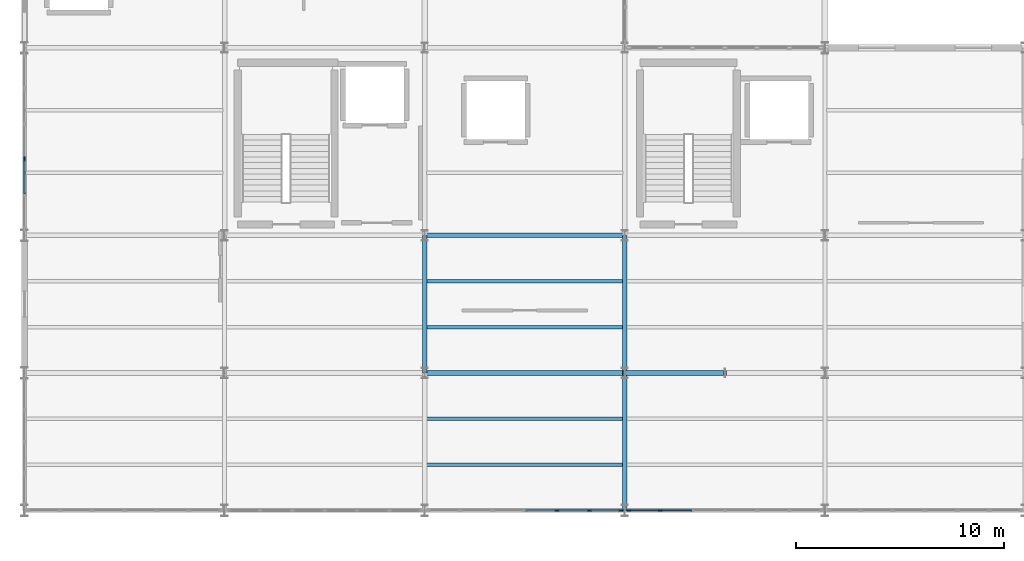
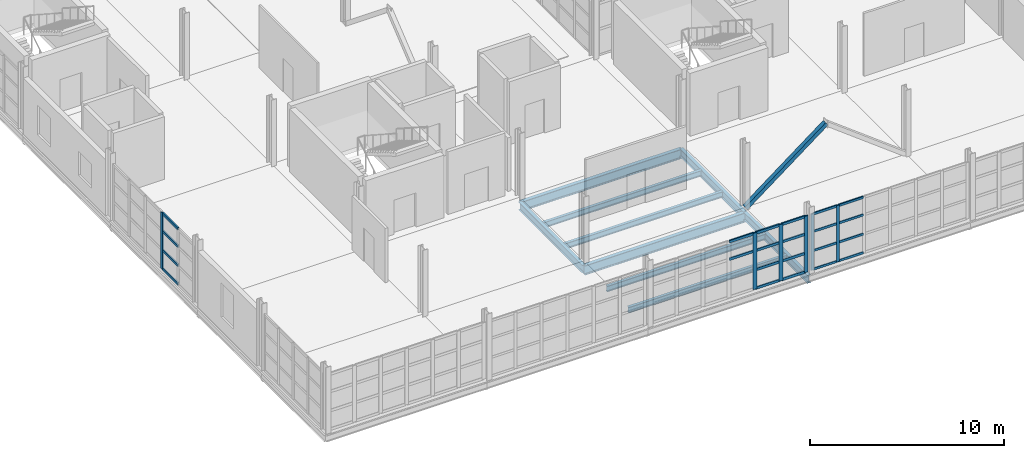
# One storey, part 14 of 82: 29 members, 9 beams, 3 elements without a shape of their own.
"""IFC4 building model written with IfcOpenShell, lengths in metres."""

from ifc_helpers import new_model, si_unit, direction, frame, origin, origin_2d, place, context, subcontext, project, spatial, rectangle, hollow_rectangle, i_section, extrude, material, layer, layer_set, material_profile, profile_set, type_object, element, aggregate, save


model = new_model("IFC4")

# Units and contexts
model_context = context("Model", 3, precision=1e-05, world=origin(), true_north=direction((0.0, 1.0)))
body_context = subcontext(model_context, "Body", "Model", "MODEL_VIEW")
ifc_project = project(units=[si_unit("LENGTHUNIT", "METRE"), si_unit("AREAUNIT", "SQUARE_METRE"), si_unit("VOLUMEUNIT", "CUBIC_METRE"), si_unit("PLANEANGLEUNIT", "RADIAN"), si_unit("MASSUNIT", "GRAM", prefix="KILO")], contexts=[model_context])

# Site, building, storey
site_placement = place(None, origin())
site = spatial("IfcSite", under=ifc_project, at=site_placement, CompositionType="ELEMENT")
building_placement = place(site_placement, origin())
building = spatial("IfcBuilding", under=site, at=building_placement, Name="Zarnetskaya Central Station", CompositionType="ELEMENT")
storey_placement = place(building_placement, frame((0.0, 0.0, 10.199951171875)))
storey = spatial("IfcBuildingStorey", under=building, at=storey_placement, Name="L02", CompositionType="ELEMENT", Elevation=10.199951171875)

# Beams
ifc_material_1 = material(Name="Steel S355", Category="steel")
ifc_material_profile_1 = material_profile(ifc_material_1, i_section(OverallWidth=0.169921875, OverallDepth=0.360107421875, WebThickness=0.008056640625, FlangeThickness=0.0126953125, FilletRadius=0.01806640625, at=origin_2d()), Name="IPE 360")
ifc_profile_set_1 = profile_set([ifc_material_profile_1], Name="Steel S355")
beam_type_1 = type_object("IfcBeamType", Name="BM-SEC-360", PredefinedType="BEAM", material=ifc_profile_set_1)
for number, where, z_axis, x_axis, name in (
    (1, (19.280029296875, 2.199951171875, -0.43994140625), (1.0, 0.0, 0.0), (0.0, 1.0, 0.0), "Secondary floor beam SEC-L02-Z994-CD-12-1"),
    (2, (19.280029296875, 4.39990234375, -0.43994140625), (1.0, 0.0, 0.0), (0.0, 1.0, 0.0), "Secondary floor beam SEC-L02-Z994-CD-12-2"),
    (3, (19.280029296875, 8.800048828125, -0.43994140625), (1.0, 0.0, 0.0), (0.0, 1.0, 0.0), "Secondary floor beam SEC-L02-Z994-CD-23-1"),
    (4, (19.280029296875, 11.0, -0.43994140625), (1.0, 0.0, 0.0), (0.0, 1.0, 0.0), "Secondary floor beam SEC-L02-Z994-CD-23-2"),
):
    element("IfcBeam", number, at=place(storey_placement, frame(where, z_axis=z_axis, x_axis=x_axis)), inside=storey, type_object=beam_type_1, Name=name, PredefinedType="BEAM", context=body_context, shape_type="SweptSolid", body=[
        extrude(i_section(OverallWidth=0.169921875, OverallDepth=0.360107421875, WebThickness=0.008056640625, FlangeThickness=0.0126953125, FilletRadius=0.01806640625, at=origin_2d()), origin(), (0.0, 0.0, 1.0), 9.43994140625),
    ])

# Curtain wall, members
ifc_material_2 = material(Name="Low-E insulated glass", Category="glass")
ifc_layer_1 = layer(ifc_material_2, 0.176025390625, Name="Low-E insulated glass", Category="glass")
ifc_layer_set_1 = layer_set([ifc_layer_1], Name="Low-E insulated glass")
curtain_wall_type_1 = type_object("IfcCurtainWallType", Name="CW-SYS-05", PredefinedType="USERDEFINED", material=ifc_layer_set_1)
curtain_wall_1_placement = place(storey_placement, origin())
curtain_wall_1 = element("IfcCurtainWall", 5, at=curtain_wall_1_placement, inside=storey, type_object=curtain_wall_type_1, Name="Curtain wall CW-L02-027", ObjectType="CURTAIN WALL", PredefinedType="USERDEFINED")
ifc_material_3 = material(Name="Anodised aluminium", Category="aluminium")
ifc_material_profile_2 = material_profile(ifc_material_3, rectangle(XDim=0.070068359375, YDim=0.179931640625, at=origin_2d()), Name="ALU MULL 70x180")
ifc_profile_set_2 = profile_set([ifc_material_profile_2], Name="Anodised aluminium")
member_type_1 = type_object("IfcMemberType", Name="CW-MULL-180", PredefinedType="MULLION", material=ifc_profile_set_2)
member_1_placement = place(storey_placement, frame((30.5, 0.0, 0.0), z_axis=(0.0, 0.0, 1.0), x_axis=(0.0, -1.0, 0.0)))
member_1 = element("IfcMember", 6, at=member_1_placement, type_object=member_type_1, Name="CW-14 mullion 6", PredefinedType="MULLION", context=body_context, shape_type="SweptSolid", body=[
    extrude(rectangle(XDim=0.070068359375, YDim=0.179931640625, at=origin_2d()), origin(), (0.0, 0.0, 1.0), 3.550048828125),
])
member_2_placement = place(storey_placement, frame((28.985107421875, 0.0, 0.0), z_axis=(0.0, 0.0, 1.0), x_axis=(0.0, -1.0, 0.0)))
member_2 = element("IfcMember", 7, at=member_2_placement, type_object=member_type_1, Name="CW-14 mullion 7", PredefinedType="MULLION", context=body_context, shape_type="SweptSolid", body=[
    extrude(rectangle(XDim=0.070068359375, YDim=0.179931640625, at=origin_2d()), origin(), (0.0, 0.0, 1.0), 3.550048828125),
])

# Curtain wall, member
ifc_layer_2 = layer(ifc_material_2, 0.159912109375, Name="Low-E insulated glass", Category="glass")
ifc_layer_set_2 = layer_set([ifc_layer_2], Name="Low-E insulated glass")
curtain_wall_type_2 = type_object("IfcCurtainWallType", Name="CW-SYS-06", PredefinedType="USERDEFINED", material=ifc_layer_set_2)
curtain_wall_2_placement = place(storey_placement, origin())
curtain_wall_2 = element("IfcCurtainWall", 8, at=curtain_wall_2_placement, inside=storey, type_object=curtain_wall_type_2, Name="Curtain wall CW-L02-016", ObjectType="CURTAIN WALL", PredefinedType="USERDEFINED")
ifc_material_profile_3 = material_profile(ifc_material_3, rectangle(XDim=0.080078125, YDim=0.219970703125, at=origin_2d()), Name="ALU MULL 80x220")
ifc_profile_set_3 = profile_set([ifc_material_profile_3], Name="Anodised aluminium")
member_type_2 = type_object("IfcMemberType", Name="CW-MULL-220", PredefinedType="MULLION", material=ifc_profile_set_3)
member_3_placement = place(storey_placement, frame((0.0, 16.85498046875, 0.0), z_axis=(0.0, 0.0, 1.0), x_axis=(-1.0, 0.0, 0.0)))
member_3 = element("IfcMember", 9, at=member_3_placement, type_object=member_type_2, Name="CW-02 mullion 3", PredefinedType="MULLION", context=body_context, shape_type="SweptSolid", body=[
    extrude(rectangle(XDim=0.080078125, YDim=0.219970703125, at=origin_2d()), origin(), (0.0, 0.0, 1.0), 3.550048828125),
])

# Curtain wall, members
curtain_wall_3_placement = place(storey_placement, origin())
curtain_wall_3 = element("IfcCurtainWall", 10, at=curtain_wall_3_placement, inside=storey, type_object=curtain_wall_type_2, Name="Curtain wall CW-L02-028", ObjectType="CURTAIN WALL", PredefinedType="USERDEFINED")
member_4_placement = place(storey_placement, frame((28.610107421875, 0.0, 0.0), z_axis=(0.0, 0.0, 1.0), x_axis=(0.0, -1.0, 0.0)))
member_4 = element("IfcMember", 11, at=member_4_placement, type_object=member_type_2, Name="CW-02 mullion 1", PredefinedType="MULLION", context=body_context, shape_type="SweptSolid", body=[
    extrude(rectangle(XDim=0.080078125, YDim=0.219970703125, at=origin_2d()), origin(), (0.0, 0.0, 1.0), 3.550048828125),
])
member_5_placement = place(storey_placement, frame((27.10009765625, 0.0, 0.0), z_axis=(0.0, 0.0, 1.0), x_axis=(0.0, -1.0, 0.0)))
member_5 = element("IfcMember", 12, at=member_5_placement, type_object=member_type_2, Name="CW-02 mullion 2", PredefinedType="MULLION", context=body_context, shape_type="SweptSolid", body=[
    extrude(rectangle(XDim=0.080078125, YDim=0.219970703125, at=origin_2d()), origin(), (0.0, 0.0, 1.0), 3.550048828125),
])
member_6_placement = place(storey_placement, frame((25.550048828125, 0.0, 0.0), z_axis=(0.0, 0.0, 1.0), x_axis=(0.0, -1.0, 0.0)))
member_6 = element("IfcMember", 13, at=member_6_placement, type_object=member_type_2, Name="CW-02 mullion 3", PredefinedType="MULLION", context=body_context, shape_type="SweptSolid", body=[
    extrude(rectangle(XDim=0.080078125, YDim=0.219970703125, at=origin_2d()), origin(), (0.0, 0.0, 1.0), 3.550048828125),
])

# Member
ifc_material_profile_4 = material_profile(ifc_material_3, rectangle(XDim=0.070068359375, YDim=0.139892578125, at=origin_2d()), Name="ALU TRAN 70x140")
ifc_profile_set_4 = profile_set([ifc_material_profile_4], Name="Anodised aluminium")
member_type_3 = type_object("IfcMemberType", Name="CW-TRAN-140", PredefinedType="USERDEFINED", material=ifc_profile_set_4)
member_7_placement = place(storey_placement, frame((32.014892578125, 0.0, 0.03515625), z_axis=(-1.0, 0.0, 0.0), x_axis=(0.0, -1.0, 0.0)))
member_7 = element("IfcMember", 14, at=member_7_placement, type_object=member_type_3, Name="CW-14 transom 5.1", ObjectType="TRANSOM", PredefinedType="USERDEFINED", context=body_context, shape_type="SweptSolid", body=[
    extrude(rectangle(XDim=0.070068359375, YDim=0.139892578125, at=origin_2d()), origin(), (0.0, 0.0, 1.0), 1.47998046875),
])

member_8_placement = place(storey_placement, frame((32.014892578125, 0.0, 1.20703125), z_axis=(-1.0, 0.0, 0.0), x_axis=(0.0, -1.0, 0.0)))
member_8 = element("IfcMember", 15, at=member_8_placement, type_object=member_type_3, Name="CW-14 transom 5.2", ObjectType="TRANSOM", PredefinedType="USERDEFINED", context=body_context, shape_type="SweptSolid", body=[
    extrude(rectangle(XDim=0.070068359375, YDim=0.139892578125, at=origin_2d()), origin(), (0.0, 0.0, 1.0), 1.47998046875),
])

member_9_placement = place(storey_placement, frame((32.014892578125, 0.0, 2.4140625), z_axis=(-1.0, 0.0, 0.0), x_axis=(0.0, -1.0, 0.0)))
member_9 = element("IfcMember", 16, at=member_9_placement, type_object=member_type_3, Name="CW-14 transom 5.3", ObjectType="TRANSOM", PredefinedType="USERDEFINED", context=body_context, shape_type="SweptSolid", body=[
    extrude(rectangle(XDim=0.070068359375, YDim=0.139892578125, at=origin_2d()), origin(), (0.0, 0.0, 1.0), 1.47998046875),
])

member_10_placement = place(storey_placement, frame((32.014892578125, 0.0, 3.51513671875), z_axis=(-1.0, 0.0, 0.0), x_axis=(0.0, -1.0, 0.0)))
member_10 = element("IfcMember", 17, at=member_10_placement, type_object=member_type_3, Name="CW-14 transom 5.4", ObjectType="TRANSOM", PredefinedType="USERDEFINED", context=body_context, shape_type="SweptSolid", body=[
    extrude(rectangle(XDim=0.070068359375, YDim=0.139892578125, at=origin_2d()), origin(), (0.0, 0.0, 1.0), 1.47998046875),
])

member_11_placement = place(storey_placement, frame((30.465087890625, 0.0, 0.03515625), z_axis=(-1.0, 0.0, 0.0), x_axis=(0.0, -1.0, 0.0)))
member_11 = element("IfcMember", 18, at=member_11_placement, type_object=member_type_3, Name="CW-14 transom 6.1", ObjectType="TRANSOM", PredefinedType="USERDEFINED", context=body_context, shape_type="SweptSolid", body=[
    extrude(rectangle(XDim=0.070068359375, YDim=0.139892578125, at=origin_2d()), origin(), (0.0, 0.0, 1.0), 1.445068359375),
])

member_12_placement = place(storey_placement, frame((30.465087890625, 0.0, 1.20703125), z_axis=(-1.0, 0.0, 0.0), x_axis=(0.0, -1.0, 0.0)))
member_12 = element("IfcMember", 19, at=member_12_placement, type_object=member_type_3, Name="CW-14 transom 6.2", ObjectType="TRANSOM", PredefinedType="USERDEFINED", context=body_context, shape_type="SweptSolid", body=[
    extrude(rectangle(XDim=0.070068359375, YDim=0.139892578125, at=origin_2d()), origin(), (0.0, 0.0, 1.0), 1.445068359375),
])

member_13_placement = place(storey_placement, frame((30.465087890625, 0.0, 2.4140625), z_axis=(-1.0, 0.0, 0.0), x_axis=(0.0, -1.0, 0.0)))
member_13 = element("IfcMember", 20, at=member_13_placement, type_object=member_type_3, Name="CW-14 transom 6.3", ObjectType="TRANSOM", PredefinedType="USERDEFINED", context=body_context, shape_type="SweptSolid", body=[
    extrude(rectangle(XDim=0.070068359375, YDim=0.139892578125, at=origin_2d()), origin(), (0.0, 0.0, 1.0), 1.445068359375),
])

member_14_placement = place(storey_placement, frame((30.465087890625, 0.0, 3.51513671875), z_axis=(-1.0, 0.0, 0.0), x_axis=(0.0, -1.0, 0.0)))
member_14 = element("IfcMember", 21, at=member_14_placement, type_object=member_type_3, Name="CW-14 transom 6.4", ObjectType="TRANSOM", PredefinedType="USERDEFINED", context=body_context, shape_type="SweptSolid", body=[
    extrude(rectangle(XDim=0.070068359375, YDim=0.139892578125, at=origin_2d()), origin(), (0.0, 0.0, 1.0), 1.445068359375),
])

aggregate(curtain_wall_1, [member_1, member_2, member_7, member_8, member_9, member_10, member_11, member_12, member_13, member_14])

ifc_material_profile_5 = material_profile(ifc_material_3, rectangle(XDim=0.080078125, YDim=0.159912109375, at=origin_2d()), Name="ALU TRAN 80x160")
ifc_profile_set_5 = profile_set([ifc_material_profile_5], Name="Anodised aluminium")
member_type_4 = type_object("IfcMemberType", Name="CW-TRAN-160", PredefinedType="USERDEFINED", material=ifc_profile_set_5)
member_15_placement = place(storey_placement, frame((0.0, 15.205078125, 0.0400390625), z_axis=(0.0, 1.0, 0.0), x_axis=(-1.0, 0.0, 0.0)))
member_15 = element("IfcMember", 22, at=member_15_placement, type_object=member_type_4, Name="CW-02 transom 2.1", ObjectType="TRANSOM", PredefinedType="USERDEFINED", context=body_context, shape_type="SweptSolid", body=[
    extrude(rectangle(XDim=0.080078125, YDim=0.159912109375, at=origin_2d()), origin(), (0.0, 0.0, 1.0), 1.60986328125),
])

member_16_placement = place(storey_placement, frame((0.0, 15.205078125, 1.20703125), z_axis=(0.0, 1.0, 0.0), x_axis=(-1.0, 0.0, 0.0)))
member_16 = element("IfcMember", 23, at=member_16_placement, type_object=member_type_4, Name="CW-02 transom 2.2", ObjectType="TRANSOM", PredefinedType="USERDEFINED", context=body_context, shape_type="SweptSolid", body=[
    extrude(rectangle(XDim=0.080078125, YDim=0.159912109375, at=origin_2d()), origin(), (0.0, 0.0, 1.0), 1.60986328125),
])

member_17_placement = place(storey_placement, frame((0.0, 15.205078125, 2.4140625), z_axis=(0.0, 1.0, 0.0), x_axis=(-1.0, 0.0, 0.0)))
member_17 = element("IfcMember", 24, at=member_17_placement, type_object=member_type_4, Name="CW-02 transom 2.3", ObjectType="TRANSOM", PredefinedType="USERDEFINED", context=body_context, shape_type="SweptSolid", body=[
    extrude(rectangle(XDim=0.080078125, YDim=0.159912109375, at=origin_2d()), origin(), (0.0, 0.0, 1.0), 1.60986328125),
])

member_18_placement = place(storey_placement, frame((0.0, 15.205078125, 3.510009765625), z_axis=(0.0, 1.0, 0.0), x_axis=(-1.0, 0.0, 0.0)))
member_18 = element("IfcMember", 25, at=member_18_placement, type_object=member_type_4, Name="CW-02 transom 2.4", ObjectType="TRANSOM", PredefinedType="USERDEFINED", context=body_context, shape_type="SweptSolid", body=[
    extrude(rectangle(XDim=0.080078125, YDim=0.159912109375, at=origin_2d()), origin(), (0.0, 0.0, 1.0), 1.60986328125),
])

aggregate(curtain_wall_2, [member_3, member_15, member_16, member_17, member_18])

member_19_placement = place(storey_placement, frame((28.570068359375, 0.0, 0.0400390625), z_axis=(-1.0, 0.0, 0.0), x_axis=(0.0, -1.0, 0.0)))
member_19 = element("IfcMember", 26, at=member_19_placement, type_object=member_type_4, Name="CW-02 transom 1.1", ObjectType="TRANSOM", PredefinedType="USERDEFINED", context=body_context, shape_type="SweptSolid", body=[
    extrude(rectangle(XDim=0.080078125, YDim=0.159912109375, at=origin_2d()), origin(), (0.0, 0.0, 1.0), 1.43017578125),
])

member_20_placement = place(storey_placement, frame((28.570068359375, 0.0, 1.20703125), z_axis=(-1.0, 0.0, 0.0), x_axis=(0.0, -1.0, 0.0)))
member_20 = element("IfcMember", 27, at=member_20_placement, type_object=member_type_4, Name="CW-02 transom 1.2", ObjectType="TRANSOM", PredefinedType="USERDEFINED", context=body_context, shape_type="SweptSolid", body=[
    extrude(rectangle(XDim=0.080078125, YDim=0.159912109375, at=origin_2d()), origin(), (0.0, 0.0, 1.0), 1.43017578125),
])

member_21_placement = place(storey_placement, frame((28.570068359375, 0.0, 2.4140625), z_axis=(-1.0, 0.0, 0.0), x_axis=(0.0, -1.0, 0.0)))
member_21 = element("IfcMember", 28, at=member_21_placement, type_object=member_type_4, Name="CW-02 transom 1.3", ObjectType="TRANSOM", PredefinedType="USERDEFINED", context=body_context, shape_type="SweptSolid", body=[
    extrude(rectangle(XDim=0.080078125, YDim=0.159912109375, at=origin_2d()), origin(), (0.0, 0.0, 1.0), 1.43017578125),
])

member_22_placement = place(storey_placement, frame((28.570068359375, 0.0, 3.510009765625), z_axis=(-1.0, 0.0, 0.0), x_axis=(0.0, -1.0, 0.0)))
member_22 = element("IfcMember", 29, at=member_22_placement, type_object=member_type_4, Name="CW-02 transom 1.4", ObjectType="TRANSOM", PredefinedType="USERDEFINED", context=body_context, shape_type="SweptSolid", body=[
    extrude(rectangle(XDim=0.080078125, YDim=0.159912109375, at=origin_2d()), origin(), (0.0, 0.0, 1.0), 1.43017578125),
])

member_23_placement = place(storey_placement, frame((27.06005859375, 0.0, 0.0400390625), z_axis=(-1.0, 0.0, 0.0), x_axis=(0.0, -1.0, 0.0)))
member_23 = element("IfcMember", 30, at=member_23_placement, type_object=member_type_4, Name="CW-02 transom 2.1", ObjectType="TRANSOM", PredefinedType="USERDEFINED", context=body_context, shape_type="SweptSolid", body=[
    extrude(rectangle(XDim=0.080078125, YDim=0.159912109375, at=origin_2d()), origin(), (0.0, 0.0, 1.0), 1.469970703125),
])

member_24_placement = place(storey_placement, frame((27.06005859375, 0.0, 1.20703125), z_axis=(-1.0, 0.0, 0.0), x_axis=(0.0, -1.0, 0.0)))
member_24 = element("IfcMember", 31, at=member_24_placement, type_object=member_type_4, Name="CW-02 transom 2.2", ObjectType="TRANSOM", PredefinedType="USERDEFINED", context=body_context, shape_type="SweptSolid", body=[
    extrude(rectangle(XDim=0.080078125, YDim=0.159912109375, at=origin_2d()), origin(), (0.0, 0.0, 1.0), 1.469970703125),
])

member_25_placement = place(storey_placement, frame((27.06005859375, 0.0, 2.4140625), z_axis=(-1.0, 0.0, 0.0), x_axis=(0.0, -1.0, 0.0)))
member_25 = element("IfcMember", 32, at=member_25_placement, type_object=member_type_4, Name="CW-02 transom 2.3", ObjectType="TRANSOM", PredefinedType="USERDEFINED", context=body_context, shape_type="SweptSolid", body=[
    extrude(rectangle(XDim=0.080078125, YDim=0.159912109375, at=origin_2d()), origin(), (0.0, 0.0, 1.0), 1.469970703125),
])

member_26_placement = place(storey_placement, frame((27.06005859375, 0.0, 3.510009765625), z_axis=(-1.0, 0.0, 0.0), x_axis=(0.0, -1.0, 0.0)))
member_26 = element("IfcMember", 33, at=member_26_placement, type_object=member_type_4, Name="CW-02 transom 2.4", ObjectType="TRANSOM", PredefinedType="USERDEFINED", context=body_context, shape_type="SweptSolid", body=[
    extrude(rectangle(XDim=0.080078125, YDim=0.159912109375, at=origin_2d()), origin(), (0.0, 0.0, 1.0), 1.469970703125),
])

member_27_placement = place(storey_placement, frame((25.510009765625, 0.0, 2.4140625), z_axis=(-1.0, 0.0, 0.0), x_axis=(0.0, -1.0, 0.0)))
member_27 = element("IfcMember", 34, at=member_27_placement, type_object=member_type_4, Name="CW-02 transom 3.3", ObjectType="TRANSOM", PredefinedType="USERDEFINED", context=body_context, shape_type="SweptSolid", body=[
    extrude(rectangle(XDim=0.080078125, YDim=0.159912109375, at=origin_2d()), origin(), (0.0, 0.0, 1.0), 1.469970703125),
])

member_28_placement = place(storey_placement, frame((25.510009765625, 0.0, 3.510009765625), z_axis=(-1.0, 0.0, 0.0), x_axis=(0.0, -1.0, 0.0)))
member_28 = element("IfcMember", 35, at=member_28_placement, type_object=member_type_4, Name="CW-02 transom 3.4", ObjectType="TRANSOM", PredefinedType="USERDEFINED", context=body_context, shape_type="SweptSolid", body=[
    extrude(rectangle(XDim=0.080078125, YDim=0.159912109375, at=origin_2d()), origin(), (0.0, 0.0, 1.0), 1.469970703125),
])

aggregate(curtain_wall_3, [member_4, member_5, member_6, member_19, member_20, member_21, member_22, member_23, member_24, member_25, member_26, member_27, member_28])

# Beams
ifc_material_profile_6 = material_profile(ifc_material_1, i_section(OverallWidth=0.199951171875, OverallDepth=0.5, WebThickness=0.01025390625, FlangeThickness=0.01611328125, FilletRadius=0.02099609375, at=origin_2d()), Name="IPE 500")
ifc_profile_set_6 = profile_set([ifc_material_profile_6], Name="Steel S355")
beam_type_2 = type_object("IfcBeamType", Name="GD-FLR-500", PredefinedType="USERDEFINED", material=ifc_profile_set_6)
beam_1_placement = place(storey_placement, frame((19.199951171875, 6.60009765625, -0.510009765625), z_axis=(0.0, 1.0, 0.0), x_axis=(-1.0, 0.0, 0.0)))
element("IfcBeam", 36, at=beam_1_placement, inside=storey, type_object=beam_type_2, Name="Grid girder GY-L02-C-23", ObjectType="GIRDER", PredefinedType="USERDEFINED", context=body_context, shape_type="SweptSolid", body=[
    extrude(i_section(OverallWidth=0.199951171875, OverallDepth=0.5, WebThickness=0.01025390625, FlangeThickness=0.01611328125, FilletRadius=0.02099609375, at=origin_2d()), origin(), (0.0, 0.0, 1.0), 6.599853515625),
])
beam_2_placement = place(storey_placement, frame((28.800048828125, 0.0, -0.510009765625), z_axis=(0.0, 1.0, 0.0), x_axis=(-1.0, 0.0, 0.0)))
element("IfcBeam", 37, at=beam_2_placement, inside=storey, type_object=beam_type_2, Name="Grid girder GY-L02-D-12", ObjectType="GIRDER", PredefinedType="USERDEFINED", context=body_context, shape_type="SweptSolid", body=[
    extrude(i_section(OverallWidth=0.199951171875, OverallDepth=0.5, WebThickness=0.01025390625, FlangeThickness=0.01611328125, FilletRadius=0.02099609375, at=origin_2d()), origin(), (0.0, 0.0, 1.0), 6.60009765625),
])
beam_3_placement = place(storey_placement, frame((28.800048828125, 6.60009765625, -0.510009765625), z_axis=(0.0, 1.0, 0.0), x_axis=(-1.0, 0.0, 0.0)))
element("IfcBeam", 38, at=beam_3_placement, inside=storey, type_object=beam_type_2, Name="Grid girder GY-L02-D-23", ObjectType="GIRDER", PredefinedType="USERDEFINED", context=body_context, shape_type="SweptSolid", body=[
    extrude(i_section(OverallWidth=0.199951171875, OverallDepth=0.5, WebThickness=0.01025390625, FlangeThickness=0.01611328125, FilletRadius=0.02099609375, at=origin_2d()), origin(), (0.0, 0.0, 1.0), 6.599853515625),
])
ifc_material_profile_7 = material_profile(ifc_material_1, i_section(OverallWidth=0.219970703125, OverallDepth=0.60009765625, WebThickness=0.011962890625, FlangeThickness=0.01904296875, FilletRadius=0.02392578125, at=origin_2d()), Name="IPE 600")
ifc_profile_set_7 = profile_set([ifc_material_profile_7], Name="Steel S355")
beam_type_3 = type_object("IfcBeamType", Name="GD-FLR-600", PredefinedType="USERDEFINED", material=ifc_profile_set_7)
for number, where, z_axis, x_axis, name in (
    (39, (19.199951171875, 6.60009765625, -0.56005859375), (1.0, 0.0, 0.0), (0.0, 1.0, 0.0), "Grid girder GX-L02-2-CD"),
    (40, (19.199951171875, 13.199951171875, -0.56005859375), (1.0, 0.0, 0.0), (0.0, 1.0, 0.0), "Grid girder GX-L02-3-CD"),
):
    element("IfcBeam", number, at=place(storey_placement, frame(where, z_axis=z_axis, x_axis=x_axis)), inside=storey, type_object=beam_type_3, Name=name, ObjectType="GIRDER", PredefinedType="USERDEFINED", context=body_context, shape_type="SweptSolid", body=[
        extrude(i_section(OverallWidth=0.219970703125, OverallDepth=0.60009765625, WebThickness=0.011962890625, FlangeThickness=0.01904296875, FilletRadius=0.02392578125, at=origin_2d()), origin(), (0.0, 0.0, 1.0), 9.60009765625),
    ])

# Member
ifc_material_profile_8 = material_profile(ifc_material_1, hollow_rectangle(XDim=0.25, YDim=0.25, WallThickness=0.012451171875, at=origin_2d()), Name="SHS 250x250x12.5")
ifc_profile_set_8 = profile_set([ifc_material_profile_8], Name="Steel S355")
member_type_5 = type_object("IfcMemberType", Name="MB-CBF-BRACE", PredefinedType="BRACE", material=ifc_profile_set_8)
member_29_placement = place(storey_placement, frame((28.800048828125, 6.60009765625, 0.0), z_axis=(0.795993649849, 0.0, 0.605304972224), x_axis=(0.0, 1.0, 0.0)))
element("IfcMember", 41, at=member_29_placement, inside=storey, type_object=member_type_5, Name="Concentrically braced frame chevron 2L L02", PredefinedType="BRACE", context=body_context, shape_type="SweptSolid", body=[
    extrude(hollow_rectangle(XDim=0.25, YDim=0.25, WallThickness=0.012451171875, at=origin_2d()), origin(), (0.0, 0.0, 1.0), 6.0302734375),
])

save(model, "model.ifc")
